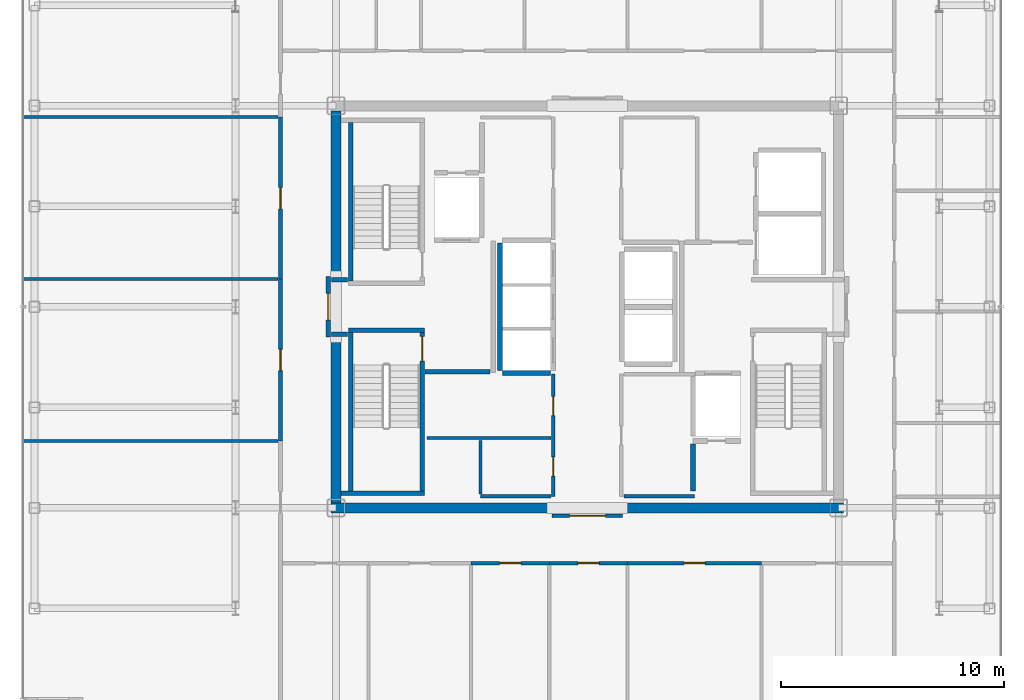
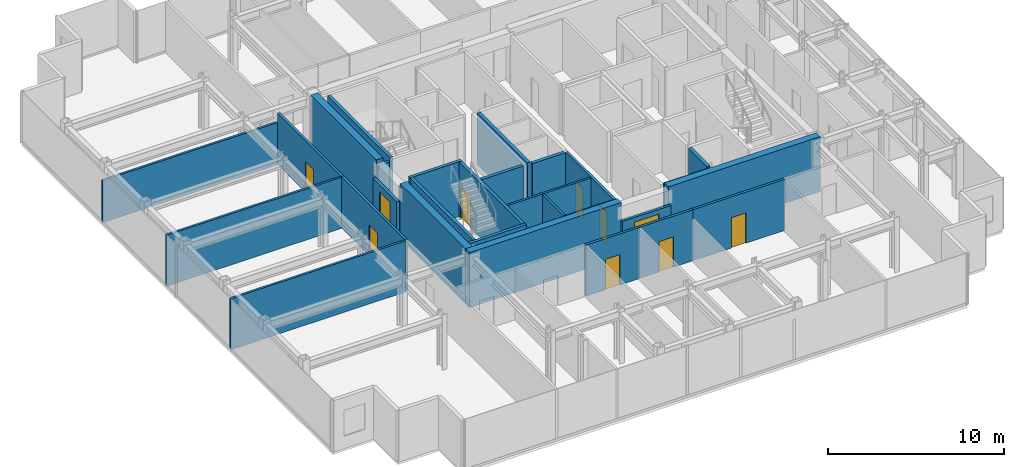
# One storey, part 13 of 18: 30 walls, 10 doors, 10 openings.
"""IFC4 building model written with IfcOpenShell, lengths in metres."""

from ifc_helpers import new_model, si_unit, direction, frame, frame_2d, origin, place, context, subcontext, project, spatial, rectangle, extrude, source, transform, mapped, material, layer, layer_set, type_object, element, fill, save


model = new_model("IFC4")

# Units and contexts
model_context = context("Model", 3, precision=1e-05, world=origin(), true_north=direction((0.0, 1.0)))
body_context = subcontext(model_context, "Body", "Model", "MODEL_VIEW")
ifc_project = project(units=[si_unit("LENGTHUNIT", "METRE"), si_unit("AREAUNIT", "SQUARE_METRE"), si_unit("VOLUMEUNIT", "CUBIC_METRE"), si_unit("PLANEANGLEUNIT", "RADIAN"), si_unit("MASSUNIT", "GRAM", prefix="KILO")], contexts=[model_context])

# Site, building, storey
site_placement = place(None, origin())
site = spatial("IfcSite", under=ifc_project, at=site_placement, CompositionType="ELEMENT")
building_placement = place(site_placement, origin())
building = spatial("IfcBuilding", under=site, at=building_placement, Name="Nefas-Gora Pilgrimage Tower", CompositionType="ELEMENT")
storey_placement = place(building_placement, frame((0.0, 0.0, 291.199951171875)))
storey = spatial("IfcBuildingStorey", under=building, at=storey_placement, Name="L73", CompositionType="ELEMENT", Elevation=291.199951171875)

# Walls
ifc_material_1 = material(Name="Concrete C50/60", Category="concrete")
ifc_layer_1 = layer(ifc_material_1, 0.449951171875)
ifc_layer_set_1 = layer_set([ifc_layer_1], Name="Concrete C50/60")
wall_type_1 = type_object("IfcWallType", Name="SW-CORE-450", PredefinedType="SHEAR", material=ifc_layer_set_1)
shared_shape_1 = source(origin(), body_context, "Body", "SweptSolid", [
    extrude(rectangle(XDim=9.925048828125, YDim=0.449951171875, at=frame_2d((4.96240234375, 0.0))), origin(), (0.0, 0.0, 1.0), 3.800048828125),
])
for number, where, z_axis, x_axis, name in (
    (1, (-11.47509765625, -9.0, 0.0), (0.0, 0.0, 1.0), (1.0, 0.0, 0.0), "L73 Core Shear Wall S-West"),
    (2, (1.550048828125, -9.0, 0.0), (0.0, 0.0, 1.0), (1.0, 0.0, 0.0), "L73 Core Shear Wall S-East"),
):
    element("IfcWall", number, at=place(storey_placement, frame(where, z_axis=z_axis, x_axis=x_axis)), inside=storey, type_object=wall_type_1, Name=name, PredefinedType="SHEAR", context=body_context, shape_type="MappedRepresentation", body=[
        mapped(shared_shape_1, transform((0.0, 0.0, 0.0), x_axis=(1.0, 0.0, 0.0), y_axis=(0.0, 1.0, 0.0), z_axis=(0.0, 0.0, 1.0), scale=1.0)),
    ])
shared_shape_2 = source(origin(), body_context, "Body", "SweptSolid", [
    extrude(rectangle(XDim=7.4248046875, YDim=0.449951171875, at=frame_2d((3.71240234375, 0.0))), origin(), (0.0, 0.0, 1.0), 3.800048828125),
])
for number, where, z_axis, x_axis, name in (
    (3, (-11.25, -8.77490234375, 0.0), (0.0, 0.0, 1.0), (0.0, 1.0, 0.0), "L73 Core Shear Wall W-South"),
    (4, (-11.25, 1.35009765625, 0.0), (0.0, 0.0, 1.0), (0.0, 1.0, 0.0), "L73 Core Shear Wall W-North"),
):
    element("IfcWall", number, at=place(storey_placement, frame(where, z_axis=z_axis, x_axis=x_axis)), inside=storey, type_object=wall_type_1, Name=name, PredefinedType="SHEAR", context=body_context, shape_type="MappedRepresentation", body=[
        mapped(shared_shape_2, transform((0.0, 0.0, 0.0), x_axis=(1.0, 0.0, 0.0), y_axis=(0.0, 1.0, 0.0), z_axis=(0.0, 0.0, 1.0), scale=1.0)),
    ])
ifc_material_2 = material(Name="Concrete C45/55", Category="concrete")
ifc_layer_2 = layer(ifc_material_2, 0.199951171875)
ifc_layer_set_2 = layer_set([ifc_layer_2], Name="Concrete C45/55")
wall_type_2 = type_object("IfcWallType", Name="IW-STAIR-200", PredefinedType="SOLIDWALL", material=ifc_layer_set_2)
shared_shape_3 = source(origin(), body_context, "Body", "SweptSolid", [
    extrude(rectangle(XDim=3.39990234375, YDim=0.199951171875, at=frame_2d((1.699951171875, 0.0))), origin(), (0.0, 0.0, 1.0), 3.800048828125),
])
wall_1_placement = place(storey_placement, frame((-10.699951171875, -1.050048828125, 0.0), z_axis=(0.0, 0.0, 1.0), x_axis=(1.0, 0.0, 0.0)))
element("IfcWall", 5, at=wall_1_placement, inside=storey, type_object=wall_type_2, Name="L73 Stairwell Shear Wall ST-03-near", PredefinedType="SOLIDWALL", context=body_context, shape_type="MappedRepresentation", body=[
    mapped(shared_shape_3, transform((0.0, 0.0, 0.0), x_axis=(1.0, 0.0, 0.0), y_axis=(0.0, 1.0, 0.0), z_axis=(0.0, 0.0, 1.0), scale=1.0)),
])
shared_shape_4 = source(origin(), body_context, "Body", "SweptSolid", [
    extrude(rectangle(XDim=7.10009765625, YDim=0.199951171875, at=frame_2d((3.550048828125, 0.0))), origin(), (0.0, 0.0, 1.0), 3.800048828125),
])
for number, where, z_axis, x_axis, name in (
    (6, (-10.60009765625, 1.14990234375, 0.0), (0.0, 0.0, 1.0), (0.0, 1.0, 0.0), "L73 Stairwell Shear Wall ST-01-right"),
    (7, (-10.60009765625, -1.14990234375, 0.0), (0.0, 0.0, 1.0), (0.0, -1.0, 0.0), "L73 Stairwell Shear Wall ST-03-left"),
):
    element("IfcWall", number, at=place(storey_placement, frame(where, z_axis=z_axis, x_axis=x_axis)), inside=storey, type_object=wall_type_2, Name=name, PredefinedType="SOLIDWALL", context=body_context, shape_type="MappedRepresentation", body=[
        mapped(shared_shape_4, transform((0.0, 0.0, 0.0), x_axis=(1.0, 0.0, 0.0), y_axis=(0.0, 1.0, 0.0), z_axis=(0.0, 0.0, 1.0), scale=1.0)),
    ])

# Wall, opening, door
wall_2_placement = place(storey_placement, frame((-7.39990234375, -1.14990234375, 0.0), z_axis=(0.0, 0.0, 1.0), x_axis=(0.0, -1.0, 0.0)))
wall_2 = element("IfcWall", 8, at=wall_2_placement, inside=storey, type_object=wall_type_2, Name="L73 Stairwell Shear Wall ST-03-right", PredefinedType="SOLIDWALL", context=body_context, shape_type="MappedRepresentation", body=[
    mapped(shared_shape_4, transform((0.0, 0.0, 0.0), x_axis=(1.0, 0.0, 0.0), y_axis=(0.0, 1.0, 0.0), z_axis=(0.0, 0.0, 1.0), scale=1.0)),
])
opening_1_placement = place(wall_2_placement, frame((0.179931640625, 0.0, 0.0)))
opening_1 = element("IfcOpeningElement", 9, at=opening_1_placement, cuts=wall_2, Name="Opening ID-ST1", PredefinedType="OPENING", context=body_context, shape_type="SweptSolid", body=[
    extrude(rectangle(XDim=1.10009765625, YDim=2.14990234375, at=frame_2d((0.550048828125, 1.074951171875))), frame((0.0, 0.10986328125, 0.0), z_axis=(0.0, -1.0, 0.0), x_axis=(1.0, 0.0, 0.0)), (0.0, 0.0, 1.0), 0.219970703125),
])
ifc_material_3 = material(Name="Painted galvanised steel fire stair door", Category="steel")
door_type_1 = type_object("IfcDoorType", Name="DR-INT-STAIR-1100", OperationType="NOTDEFINED", PredefinedType="DOOR", material=ifc_material_3)
shared_shape_5 = source(origin(), body_context, "Body", "SweptSolid", [
    extrude(rectangle(XDim=1.10009765625, YDim=2.14990234375, at=frame_2d((0.550048828125, 1.074951171875))), frame((0.0, 0.02490234375, 0.0), z_axis=(0.0, -1.0, 0.0), x_axis=(1.0, 0.0, 0.0)), (0.0, 0.0, 1.0), 0.050048828125),
])
door_1_placement = place(opening_1_placement, origin())
door_1 = element("IfcDoor", 10, at=door_1_placement, inside=storey, type_object=door_type_1, Name="L73 Protected Exit Stair Door ST-03", OperationType="SINGLE_SWING_LEFT", OverallHeight=2.14990234375, OverallWidth=1.10009765625, PredefinedType="DOOR", context=body_context, shape_type="MappedRepresentation", body=[
    mapped(shared_shape_5, transform((0.0, 0.0, 0.0), x_axis=(1.0, 0.0, 0.0), y_axis=(0.0, 1.0, 0.0), z_axis=(0.0, 0.0, 1.0), scale=1.0)),
])
fill(opening_1, door_1)

# Walls
shared_shape_6 = source(origin(), body_context, "Body", "SweptSolid", [
    extrude(rectangle(XDim=3.72998046875, YDim=0.199951171875, at=frame_2d((1.864990234375, 0.0))), origin(), (0.0, 0.0, 1.0), 3.800048828125),
])
wall_3_placement = place(storey_placement, frame((-11.030029296875, -8.35009765625, 0.0), z_axis=(0.0, 0.0, 1.0), x_axis=(1.0, 0.0, 0.0)))
element("IfcWall", 11, at=wall_3_placement, inside=storey, type_object=wall_type_2, Name="L73 Stairwell Shear Wall ST-03-far", PredefinedType="SOLIDWALL", context=body_context, shape_type="MappedRepresentation", body=[
    mapped(shared_shape_6, transform((0.0, 0.0, 0.0), x_axis=(1.0, 0.0, 0.0), y_axis=(0.0, 1.0, 0.0), z_axis=(0.0, 0.0, 1.0), scale=1.0)),
])
ifc_material_4 = material(Name="Concrete C40/50", Category="concrete")
ifc_layer_3 = layer(ifc_material_4, 0.219970703125)
ifc_layer_set_3 = layer_set([ifc_layer_3], Name="Concrete C40/50")
wall_type_3 = type_object("IfcWallType", Name="IW-SHAFT-220", PredefinedType="SOLIDWALL", material=ifc_layer_set_3)
shared_shape_7 = source(origin(), body_context, "Body", "SweptSolid", [
    extrude(rectangle(XDim=5.7001953125, YDim=0.219970703125, at=frame_2d((2.85009765625, 0.0))), origin(), (0.0, 0.0, 1.0), 3.53515625),
])
wall_4_placement = place(storey_placement, frame((-3.909912109375, 2.85009765625, 0.0), z_axis=(0.0, 0.0, 1.0), x_axis=(0.0, -1.0, 0.0)))
element("IfcWall", 12, at=wall_4_placement, inside=storey, type_object=wall_type_3, Name="L73 Hoistway Wall PL3-01-03-W", PredefinedType="SOLIDWALL", context=body_context, shape_type="MappedRepresentation", body=[
    mapped(shared_shape_7, transform((0.0, 0.0, 0.0), x_axis=(1.0, 0.0, 0.0), y_axis=(0.0, 1.0, 0.0), z_axis=(0.0, 0.0, 1.0), scale=1.0)),
])
shared_shape_8 = source(origin(), body_context, "Body", "SweptSolid", [
    extrude(rectangle(XDim=2.130126953125, YDim=0.219970703125, at=frame_2d((1.06494140625, 0.0))), origin(), (0.0, 0.0, 1.0), 3.53515625),
])
wall_5_placement = place(storey_placement, frame((-3.7900390625, -2.9599609375, 0.0), z_axis=(0.0, 0.0, 1.0), x_axis=(1.0, 0.0, 0.0)))
element("IfcWall", 13, at=wall_5_placement, inside=storey, type_object=wall_type_3, Name="L73 Hoistway Wall PL3-01-S", PredefinedType="SOLIDWALL", context=body_context, shape_type="MappedRepresentation", body=[
    mapped(shared_shape_8, transform((0.0, 0.0, 0.0), x_axis=(1.0, 0.0, 0.0), y_axis=(0.0, 1.0, 0.0), z_axis=(0.0, 0.0, 1.0), scale=1.0)),
])
ifc_material_5 = material(Name="Gypsum fire-rated shaftwall")
ifc_layer_4 = layer(ifc_material_5, 0.199951171875)
ifc_layer_set_4 = layer_set([ifc_layer_4], Name="Gypsum fire-rated shaftwall")
wall_type_4 = type_object("IfcWallType", Name="IW-FFLOB-200", PredefinedType="PARTITIONING", material=ifc_layer_set_4)
shared_shape_9 = source(origin(), body_context, "Body", "SweptSolid", [
    extrude(rectangle(XDim=2.89990234375, YDim=0.199951171875, at=frame_2d((1.449951171875, 0.0))), origin(), (0.0, 0.0, 1.0), 3.53515625),
])
wall_6_placement = place(storey_placement, frame((-7.260009765625, -2.89990234375, 0.0), z_axis=(0.0, 0.0, 1.0), x_axis=(1.0, 0.0, 0.0)))
element("IfcWall", 14, at=wall_6_placement, inside=storey, type_object=wall_type_4, Name="L73 FF Lobby West South Wall Wall 7", PredefinedType="PARTITIONING", context=body_context, shape_type="MappedRepresentation", body=[
    mapped(shared_shape_9, transform((0.0, 0.0, 0.0), x_axis=(1.0, 0.0, 0.0), y_axis=(0.0, 1.0, 0.0), z_axis=(0.0, 0.0, 1.0), scale=1.0)),
])
shared_shape_10 = source(origin(), body_context, "Body", "SweptSolid", [
    extrude(rectangle(XDim=0.719970703125, YDim=0.199951171875, at=frame_2d((0.35986328125, 0.0))), origin(), (0.0, 0.0, 1.0), 3.53515625),
])
for number, where, z_axis, x_axis, name in (
    (15, (-11.4599609375, 1.219970703125, 0.0), (0.0, 0.0, 1.0), (1.0, 0.0, 0.0), "L73 FF Lobby West Throat N Wall 8"),
    (16, (-11.4599609375, -1.219970703125, 0.0), (0.0, 0.0, 1.0), (1.0, 0.0, 0.0), "L73 FF Lobby West Throat S Wall 9"),
):
    element("IfcWall", number, at=place(storey_placement, frame(where, z_axis=z_axis, x_axis=x_axis)), inside=storey, type_object=wall_type_4, Name=name, PredefinedType="PARTITIONING", context=body_context, shape_type="MappedRepresentation", body=[
        mapped(shared_shape_10, transform((0.0, 0.0, 0.0), x_axis=(1.0, 0.0, 0.0), y_axis=(0.0, 1.0, 0.0), z_axis=(0.0, 0.0, 1.0), scale=1.0)),
    ])
ifc_material_6 = material(Name="Gypsum twin-stud partition")
ifc_layer_5 = layer(ifc_material_6, 0.139892578125)
ifc_layer_set_5 = layer_set([ifc_layer_5], Name="Gypsum twin-stud partition")
wall_type_5 = type_object("IfcWallType", Name="IW-UNIT-140", PredefinedType="PARTITIONING", material=ifc_layer_set_5)
shared_shape_11 = source(origin(), body_context, "Body", "SweptSolid", [
    extrude(rectangle(XDim=3.150146484375, YDim=0.139892578125, at=frame_2d((1.5751953125, 0.0))), origin(), (0.0, 0.0, 1.0), 3.53515625),
])
for number, where, z_axis, x_axis, name in (
    (17, (-4.7900390625, -8.47998046875, 0.0), (0.0, 0.0, 1.0), (1.0, 0.0, 0.0), "L73 Freed Bank-2 West Supply Vault Partition Wall 25"),
    (18, (1.639892578125, -8.47998046875, 0.0), (0.0, 0.0, 1.0), (1.0, 0.0, 0.0), "L73 Freed Bank-2 East Linen Store Partition Wall 29"),
):
    element("IfcWall", number, at=place(storey_placement, frame(where, z_axis=z_axis, x_axis=x_axis)), inside=storey, type_object=wall_type_5, Name=name, PredefinedType="PARTITIONING", context=body_context, shape_type="MappedRepresentation", body=[
        mapped(shared_shape_11, transform((0.0, 0.0, 0.0), x_axis=(1.0, 0.0, 0.0), y_axis=(0.0, 1.0, 0.0), z_axis=(0.0, 0.0, 1.0), scale=1.0)),
    ])

# Wall, opening, door
ifc_material_7 = material(Name="Gypsum acoustic stud partition")
ifc_layer_6 = layer(ifc_material_7, 0.159912109375)
ifc_layer_set_6 = layer_set([ifc_layer_6], Name="Gypsum acoustic stud partition")
wall_type_6 = type_object("IfcWallType", Name="IW-CORR-160", PredefinedType="PARTITIONING", material=ifc_layer_set_6)
shared_shape_12 = source(origin(), body_context, "Body", "SweptSolid", [
    extrude(rectangle(XDim=6.010009765625, YDim=0.159912109375, at=frame_2d((3.0048828125, 0.0))), origin(), (0.0, 0.0, 1.0), 3.53515625),
])
wall_7_placement = place(storey_placement, frame((1.794921875, -11.469970703125, 0.0), z_axis=(0.0, 0.0, 1.0), x_axis=(1.0, 0.0, 0.0)))
wall_7 = element("IfcWall", 19, at=wall_7_placement, inside=storey, type_object=wall_type_6, Name="L73 Pilgrim Contemplative Lounge Partition Wall 67", PredefinedType="PARTITIONING", context=body_context, shape_type="MappedRepresentation", body=[
    mapped(shared_shape_12, transform((0.0, 0.0, 0.0), x_axis=(1.0, 0.0, 0.0), y_axis=(0.0, 1.0, 0.0), z_axis=(0.0, 0.0, 1.0), scale=1.0)),
])
opening_2_placement = place(wall_7_placement, frame((2.530029296875, 0.0, 0.0)))
opening_2 = element("IfcOpeningElement", 20, at=opening_2_placement, cuts=wall_7, Name="Opening ID-GR1", PredefinedType="OPENING", context=body_context, shape_type="SweptSolid", body=[
    extrude(rectangle(XDim=0.949951171875, YDim=2.10009765625, at=frame_2d((0.47509765625, 1.050048828125))), frame((0.0, 0.08984375, 0.0), z_axis=(0.0, -1.0, 0.0), x_axis=(1.0, 0.0, 0.0)), (0.0, 0.0, 1.0), 0.179931640625),
])
ifc_material_8 = material(Name="Solid core oak fire-rated guest entrance door")
door_type_2 = type_object("IfcDoorType", Name="DR-INT-GUEST-950", OperationType="NOTDEFINED", PredefinedType="DOOR", material=ifc_material_8)
shared_shape_13 = source(origin(), body_context, "Body", "SweptSolid", [
    extrude(rectangle(XDim=0.949951171875, YDim=2.10009765625, at=frame_2d((0.47509765625, 1.050048828125))), frame((0.0, 0.02490234375, 0.0), z_axis=(0.0, -1.0, 0.0), x_axis=(1.0, 0.0, 0.0)), (0.0, 0.0, 1.0), 0.050048828125),
])
door_2_placement = place(opening_2_placement, origin())
door_2 = element("IfcDoor", 21, at=door_2_placement, inside=storey, type_object=door_type_2, Name="L73 Pilgrim Contemplative Lounge Door 33", OperationType="SINGLE_SWING_LEFT", OverallHeight=2.10009765625, OverallWidth=0.949951171875, PredefinedType="DOOR", context=body_context, shape_type="MappedRepresentation", body=[
    mapped(shared_shape_13, transform((0.0, 0.0, 0.0), x_axis=(1.0, 0.0, 0.0), y_axis=(0.0, 1.0, 0.0), z_axis=(0.0, 0.0, 1.0), scale=1.0)),
])
fill(opening_2, door_2)

shared_shape_14 = source(origin(), body_context, "Body", "SweptSolid", [
    extrude(rectangle(XDim=3.505126953125, YDim=0.159912109375, at=frame_2d((1.75244140625, 0.0))), origin(), (0.0, 0.0, 1.0), 3.53515625),
])
wall_8_placement = place(storey_placement, frame((-5.205078125, -11.469970703125, 0.0), z_axis=(0.0, 0.0, 1.0), x_axis=(1.0, 0.0, 0.0)))
wall_8 = element("IfcWall", 22, at=wall_8_placement, inside=storey, type_object=wall_type_6, Name="L73 Pilgrim Contemplative Lounge Partition Wall 63", PredefinedType="PARTITIONING", context=body_context, shape_type="MappedRepresentation", body=[
    mapped(shared_shape_14, transform((0.0, 0.0, 0.0), x_axis=(1.0, 0.0, 0.0), y_axis=(0.0, 1.0, 0.0), z_axis=(0.0, 0.0, 1.0), scale=1.0)),
])
opening_3_placement = place(wall_8_placement, frame((1.277587890625, 0.0, 0.0)))
opening_3 = element("IfcOpeningElement", 23, at=opening_3_placement, cuts=wall_8, Name="Opening ID-GR1", PredefinedType="OPENING", context=body_context, shape_type="SweptSolid", body=[
    extrude(rectangle(XDim=0.949951171875, YDim=2.10009765625, at=frame_2d((0.47509765625, 1.050048828125))), frame((0.0, 0.08984375, 0.0), z_axis=(0.0, -1.0, 0.0), x_axis=(1.0, 0.0, 0.0)), (0.0, 0.0, 1.0), 0.179931640625),
])
door_3_placement = place(opening_3_placement, origin())
door_3 = element("IfcDoor", 24, at=door_3_placement, inside=storey, type_object=door_type_2, Name="L73 Pilgrim Contemplative Lounge Door 31", OperationType="SINGLE_SWING_LEFT", OverallHeight=2.10009765625, OverallWidth=0.949951171875, PredefinedType="DOOR", context=body_context, shape_type="MappedRepresentation", body=[
    mapped(shared_shape_13, transform((0.0, 0.0, 0.0), x_axis=(1.0, 0.0, 0.0), y_axis=(0.0, 1.0, 0.0), z_axis=(0.0, 0.0, 1.0), scale=1.0)),
])
fill(opening_3, door_3)

shared_shape_15 = source(origin(), body_context, "Body", "SweptSolid", [
    extrude(rectangle(XDim=3.5048828125, YDim=0.159912109375, at=frame_2d((1.75244140625, 0.0))), origin(), (0.0, 0.0, 1.0), 3.53515625),
])
wall_9_placement = place(storey_placement, frame((-1.699951171875, -11.469970703125, 0.0), z_axis=(0.0, 0.0, 1.0), x_axis=(1.0, 0.0, 0.0)))
wall_9 = element("IfcWall", 25, at=wall_9_placement, inside=storey, type_object=wall_type_6, Name="L73 Pilgrim Contemplative Lounge Partition Wall 65", PredefinedType="PARTITIONING", context=body_context, shape_type="MappedRepresentation", body=[
    mapped(shared_shape_15, transform((0.0, 0.0, 0.0), x_axis=(1.0, 0.0, 0.0), y_axis=(0.0, 1.0, 0.0), z_axis=(0.0, 0.0, 1.0), scale=1.0)),
])
opening_4_placement = place(wall_9_placement, frame((1.277587890625, 0.0, 0.0)))
opening_4 = element("IfcOpeningElement", 26, at=opening_4_placement, cuts=wall_9, Name="Opening ID-GR1", PredefinedType="OPENING", context=body_context, shape_type="SweptSolid", body=[
    extrude(rectangle(XDim=0.949951171875, YDim=2.10009765625, at=frame_2d((0.47509765625, 1.050048828125))), frame((0.0, 0.08984375, 0.0), z_axis=(0.0, -1.0, 0.0), x_axis=(1.0, 0.0, 0.0)), (0.0, 0.0, 1.0), 0.179931640625),
])
door_4_placement = place(opening_4_placement, origin())
door_4 = element("IfcDoor", 27, at=door_4_placement, inside=storey, type_object=door_type_2, Name="L73 Pilgrim Contemplative Lounge Door 32", OperationType="SINGLE_SWING_RIGHT", OverallHeight=2.10009765625, OverallWidth=0.949951171875, PredefinedType="DOOR", context=body_context, shape_type="MappedRepresentation", body=[
    mapped(shared_shape_13, transform((0.0, 0.0, 0.0), x_axis=(1.0, 0.0, 0.0), y_axis=(0.0, 1.0, 0.0), z_axis=(0.0, 0.0, 1.0), scale=1.0)),
])
fill(opening_4, door_4)

# Walls
shared_shape_16 = source(origin(), body_context, "Body", "SweptSolid", [
    extrude(rectangle(XDim=11.429931640625, YDim=0.139892578125, at=frame_2d((5.71484375, 0.0))), origin(), (0.0, 0.0, 1.0), 3.53515625),
])
for number, where, z_axis, x_axis, name in (
    (28, (-25.2900390625, -6.0048828125, 0.0), (0.0, 0.0, 1.0), (1.0, 0.0, 0.0), "L73 Pilgrim Tea and Beverage Pantry Partition Wall 34"),
    (29, (-25.2900390625, 1.251220703125, 0.0), (0.0, 0.0, 1.0), (1.0, 0.0, 0.0), "L73 Pilgrim Tea and Beverage Pantry Partition Wall 38"),
):
    element("IfcWall", number, at=place(storey_placement, frame(where, z_axis=z_axis, x_axis=x_axis)), inside=storey, type_object=wall_type_5, Name=name, PredefinedType="PARTITIONING", context=body_context, shape_type="MappedRepresentation", body=[
        mapped(shared_shape_16, transform((0.0, 0.0, 0.0), x_axis=(1.0, 0.0, 0.0), y_axis=(0.0, 1.0, 0.0), z_axis=(0.0, 0.0, 1.0), scale=1.0)),
    ])

# Wall, openings, doors
shared_shape_17 = source(origin(), body_context, "Body", "SweptSolid", [
    extrude(rectangle(XDim=5.47998046875, YDim=0.159912109375, at=frame_2d((2.739990234375, 0.0))), origin(), (0.0, 0.0, 1.0), 3.53515625),
])
wall_10_placement = place(storey_placement, frame((-1.52001953125, -8.489990234375, 0.0), z_axis=(0.0, 0.0, 1.0), x_axis=(0.0, 1.0, 0.0)))
wall_10 = element("IfcWall", 30, at=wall_10_placement, inside=storey, type_object=wall_type_6, Name="L73 Pilgrim Baggage and Gear Vault Wall 21", PredefinedType="PARTITIONING", context=body_context, shape_type="MappedRepresentation", body=[
    mapped(shared_shape_17, transform((0.0, 0.0, 0.0), x_axis=(1.0, 0.0, 0.0), y_axis=(0.0, 1.0, 0.0), z_axis=(0.0, 0.0, 1.0), scale=1.0)),
])
opening_5_placement = place(wall_10_placement, frame((0.907470703125, 0.0, 0.0)))
opening_5 = element("IfcOpeningElement", 31, at=opening_5_placement, cuts=wall_10, Name="Opening ID-BT1", PredefinedType="OPENING", context=body_context, shape_type="SweptSolid", body=[
    extrude(rectangle(XDim=0.85009765625, YDim=2.10009765625, at=frame_2d((0.425048828125, 1.050048828125))), frame((0.0, 0.08984375, 0.0), z_axis=(0.0, -1.0, 0.0), x_axis=(1.0, 0.0, 0.0)), (0.0, 0.0, 1.0), 0.179931640625),
])
opening_6_placement = place(wall_10_placement, frame((3.614990234375, 0.0, 0.0)))
opening_6 = element("IfcOpeningElement", 32, at=opening_6_placement, cuts=wall_10, Name="Opening ID-BT1", PredefinedType="OPENING", context=body_context, shape_type="SweptSolid", body=[
    extrude(rectangle(XDim=0.85009765625, YDim=2.10009765625, at=frame_2d((0.425048828125, 1.050048828125))), frame((0.0, 0.08984375, 0.0), z_axis=(0.0, -1.0, 0.0), x_axis=(1.0, 0.0, 0.0)), (0.0, 0.0, 1.0), 0.179931640625),
])
ifc_material_9 = material(Name="Moisture-resistant fire-rated timber door", Category="wood")
door_type_3 = type_object("IfcDoorType", Name="DR-INT-BATH-850", OperationType="NOTDEFINED", PredefinedType="DOOR", material=ifc_material_9)
shared_shape_18 = source(origin(), body_context, "Body", "SweptSolid", [
    extrude(rectangle(XDim=0.85009765625, YDim=2.10009765625, at=frame_2d((0.425048828125, 1.050048828125))), frame((0.0, 0.02490234375, 0.0), z_axis=(0.0, -1.0, 0.0), x_axis=(1.0, 0.0, 0.0)), (0.0, 0.0, 1.0), 0.050048828125),
])
door_5_placement = place(opening_5_placement, origin())
door_5 = element("IfcDoor", 33, at=door_5_placement, inside=storey, type_object=door_type_3, Name="L73 Freed Bank-2 West Supply Vault Door 9", OperationType="SINGLE_SWING_LEFT", OverallHeight=2.10009765625, OverallWidth=0.85009765625, PredefinedType="DOOR", context=body_context, shape_type="MappedRepresentation", body=[
    mapped(shared_shape_18, transform((0.0, 0.0, 0.0), x_axis=(1.0, 0.0, 0.0), y_axis=(0.0, 1.0, 0.0), z_axis=(0.0, 0.0, 1.0), scale=1.0)),
])
fill(opening_5, door_5)
door_6_placement = place(opening_6_placement, origin())
door_6 = element("IfcDoor", 34, at=door_6_placement, inside=storey, type_object=door_type_3, Name="L73 Pilgrim Baggage and Gear Vault Door 10", OperationType="SINGLE_SWING_RIGHT", OverallHeight=2.10009765625, OverallWidth=0.85009765625, PredefinedType="DOOR", context=body_context, shape_type="MappedRepresentation", body=[
    mapped(shared_shape_18, transform((0.0, 0.0, 0.0), x_axis=(1.0, 0.0, 0.0), y_axis=(0.0, 1.0, 0.0), z_axis=(0.0, 0.0, 1.0), scale=1.0)),
])
fill(opening_6, door_6)

# Wall, opening, door
shared_shape_19 = source(origin(), body_context, "Body", "SweptSolid", [
    extrude(rectangle(XDim=2.7001953125, YDim=0.199951171875, at=frame_2d((1.35009765625, 0.0))), origin(), (0.0, 0.0, 1.0), 2.625),
])
wall_11_placement = place(storey_placement, frame((-11.60009765625, -1.35009765625, 0.0), z_axis=(0.0, 0.0, 1.0), x_axis=(0.0, 1.0, 0.0)))
wall_11 = element("IfcWall", 35, at=wall_11_placement, inside=storey, type_object=wall_type_4, Name="L73 FF Lobby West Portal Wall 5", PredefinedType="PARTITIONING", context=body_context, shape_type="MappedRepresentation", body=[
    mapped(shared_shape_19, transform((0.0, 0.0, 0.0), x_axis=(1.0, 0.0, 0.0), y_axis=(0.0, 1.0, 0.0), z_axis=(0.0, 0.0, 1.0), scale=1.0)),
])
opening_7_placement = place(wall_11_placement, frame((0.75, 0.0, 0.0)))
opening_7 = element("IfcOpeningElement", 36, at=opening_7_placement, cuts=wall_11, Name="Opening ID-FF1", PredefinedType="OPENING", context=body_context, shape_type="SweptSolid", body=[
    extrude(rectangle(XDim=1.199951171875, YDim=2.14990234375, at=frame_2d((0.60009765625, 1.074951171875))), frame((0.0, 0.10986328125, 0.0), z_axis=(0.0, -1.0, 0.0), x_axis=(1.0, 0.0, 0.0)), (0.0, 0.0, 1.0), 0.219970703125),
])
ifc_material_10 = material(Name="Smoke-sealed steel firefighting lobby door", Category="steel")
door_type_4 = type_object("IfcDoorType", Name="DR-INT-FFLOB-1200", OperationType="NOTDEFINED", PredefinedType="DOOR", material=ifc_material_10)
shared_shape_20 = source(origin(), body_context, "Body", "SweptSolid", [
    extrude(rectangle(XDim=1.199951171875, YDim=2.14990234375, at=frame_2d((0.60009765625, 1.074951171875))), frame((0.0, 0.02490234375, 0.0), z_axis=(0.0, -1.0, 0.0), x_axis=(1.0, 0.0, 0.0)), (0.0, 0.0, 1.0), 0.050048828125),
])
door_7_placement = place(opening_7_placement, origin())
door_7 = element("IfcDoor", 37, at=door_7_placement, inside=storey, type_object=door_type_4, Name="L73 FF Lobby West Portal Door 3", OperationType="SINGLE_SWING_LEFT", OverallHeight=2.14990234375, OverallWidth=1.199951171875, PredefinedType="DOOR", context=body_context, shape_type="MappedRepresentation", body=[
    mapped(shared_shape_20, transform((0.0, 0.0, 0.0), x_axis=(1.0, 0.0, 0.0), y_axis=(0.0, 1.0, 0.0), z_axis=(0.0, 0.0, 1.0), scale=1.0)),
])
fill(opening_7, door_7)

shared_shape_21 = source(origin(), body_context, "Body", "SweptSolid", [
    extrude(rectangle(XDim=3.16015625, YDim=0.159912109375, at=frame_2d((1.580078125, 0.0))), origin(), (0.0, 0.0, 1.0), 2.625),
])
wall_12_placement = place(storey_placement, frame((-1.580078125, -9.35009765625, 0.0), z_axis=(0.0, 0.0, 1.0), x_axis=(1.0, 0.0, 0.0)))
wall_12 = element("IfcWall", 38, at=wall_12_placement, inside=storey, type_object=wall_type_6, Name="L73 Central Lift Lobby South Portal Wall 17", PredefinedType="PARTITIONING", context=body_context, shape_type="MappedRepresentation", body=[
    mapped(shared_shape_21, transform((0.0, 0.0, 0.0), x_axis=(1.0, 0.0, 0.0), y_axis=(0.0, 1.0, 0.0), z_axis=(0.0, 0.0, 1.0), scale=1.0)),
])
opening_8_placement = place(wall_12_placement, frame((0.780029296875, 0.0, 0.0)))
opening_8 = element("IfcOpeningElement", 39, at=opening_8_placement, cuts=wall_12, Name="Opening ID-HL1", PredefinedType="OPENING", context=body_context, shape_type="SweptSolid", body=[
    extrude(rectangle(XDim=1.60009765625, YDim=2.300048828125, at=frame_2d((0.800048828125, 1.14990234375))), frame((0.0, 0.08984375, 0.0), z_axis=(0.0, -1.0, 0.0), x_axis=(1.0, 0.0, 0.0)), (0.0, 0.0, 1.0), 0.179931640625),
])
ifc_material_11 = material(Name="Double acoustic timber assembly hall door", Category="wood")
door_type_5 = type_object("IfcDoorType", Name="DR-INT-HALL-1600", OperationType="DOUBLE_DOOR_SINGLE_SWING", PredefinedType="DOOR", material=ifc_material_11)
shared_shape_22 = source(origin(), body_context, "Body", "SweptSolid", [
    extrude(rectangle(XDim=1.60009765625, YDim=2.300048828125, at=frame_2d((0.800048828125, 1.14990234375))), frame((0.0, 0.02490234375, 0.0), z_axis=(0.0, -1.0, 0.0), x_axis=(1.0, 0.0, 0.0)), (0.0, 0.0, 1.0), 0.050048828125),
])
door_8_placement = place(opening_8_placement, origin())
door_8 = element("IfcDoor", 40, at=door_8_placement, inside=storey, type_object=door_type_5, Name="L73 Central Lift Lobby South Portal Door 7", OperationType="DOUBLE_DOOR_SINGLE_SWING", OverallHeight=2.300048828125, OverallWidth=1.60009765625, PredefinedType="DOOR", context=body_context, shape_type="MappedRepresentation", body=[
    mapped(shared_shape_22, transform((0.0, 0.0, 0.0), x_axis=(1.0, 0.0, 0.0), y_axis=(0.0, 1.0, 0.0), z_axis=(0.0, 0.0, 1.0), scale=1.0)),
])
fill(opening_8, door_8)

# Walls
shared_shape_23 = source(origin(), body_context, "Body", "SweptSolid", [
    extrude(rectangle(XDim=11.429931640625, YDim=0.139892578125, at=frame_2d((5.71484375, 0.0))), origin(), (0.0, 0.0, 1.0), 2.925048828125),
])
wall_13_placement = place(storey_placement, frame((-25.2900390625, 8.49755859375, 0.0), z_axis=(0.0, 0.0, 1.0), x_axis=(1.0, 0.0, 0.0)))
element("IfcWall", 41, at=wall_13_placement, inside=storey, type_object=wall_type_5, Name="L73 Pilgrim Tea and Beverage Pantry Partition Wall 36", PredefinedType="PARTITIONING", context=body_context, shape_type="MappedRepresentation", body=[
    mapped(shared_shape_23, transform((0.0, 0.0, 0.0), x_axis=(1.0, 0.0, 0.0), y_axis=(0.0, 1.0, 0.0), z_axis=(0.0, 0.0, 1.0), scale=1.0)),
])
shared_shape_24 = source(origin(), body_context, "Body", "SweptSolid", [
    extrude(rectangle(XDim=2.10009765625, YDim=0.219970703125, at=frame_2d((1.050048828125, 0.0))), origin(), (0.0, 0.0, 1.0), 3.53515625),
])
wall_14_placement = place(storey_placement, frame((4.719970703125, -8.25, 0.0), z_axis=(0.0, 0.0, 1.0), x_axis=(0.0, 1.0, 0.0)))
element("IfcWall", 42, at=wall_14_placement, inside=storey, type_object=wall_type_3, Name="L73 Riser Shaft Wall 4", PredefinedType="SOLIDWALL", context=body_context, shape_type="MappedRepresentation", body=[
    mapped(shared_shape_24, transform((0.0, 0.0, 0.0), x_axis=(1.0, 0.0, 0.0), y_axis=(0.0, 1.0, 0.0), z_axis=(0.0, 0.0, 1.0), scale=1.0)),
])
shared_shape_25 = source(origin(), body_context, "Body", "SweptSolid", [
    extrude(rectangle(XDim=5.550048828125, YDim=0.139892578125, at=frame_2d((2.77490234375, 0.0))), origin(), (0.0, 0.0, 1.0), 3.53515625),
])
wall_15_placement = place(storey_placement, frame((-7.18994140625, -5.8798828125, 0.0), z_axis=(0.0, 0.0, 1.0), x_axis=(1.0, 0.0, 0.0)))
element("IfcWall", 43, at=wall_15_placement, inside=storey, type_object=wall_type_5, Name="L73 Pilgrim Baggage and Gear Vault Partition Wall 22", PredefinedType="PARTITIONING", context=body_context, shape_type="MappedRepresentation", body=[
    mapped(shared_shape_25, transform((0.0, 0.0, 0.0), x_axis=(1.0, 0.0, 0.0), y_axis=(0.0, 1.0, 0.0), z_axis=(0.0, 0.0, 1.0), scale=1.0)),
])
shared_shape_26 = source(origin(), body_context, "Body", "SweptSolid", [
    extrude(rectangle(XDim=2.380126953125, YDim=0.139892578125, at=frame_2d((1.18994140625, 0.0))), origin(), (0.0, 0.0, 1.0), 3.53515625),
])
wall_16_placement = place(storey_placement, frame((-4.780029296875, -8.3701171875, 0.0), z_axis=(0.0, 0.0, 1.0), x_axis=(0.0, 1.0, 0.0)))
element("IfcWall", 44, at=wall_16_placement, inside=storey, type_object=wall_type_5, Name="L73 Freed Bank-2 West Supply Vault Partition Wall 26", PredefinedType="PARTITIONING", context=body_context, shape_type="MappedRepresentation", body=[
    mapped(shared_shape_26, transform((0.0, 0.0, 0.0), x_axis=(1.0, 0.0, 0.0), y_axis=(0.0, 1.0, 0.0), z_axis=(0.0, 0.0, 1.0), scale=1.0)),
])

# Wall, opening, door
shared_shape_27 = source(origin(), body_context, "Body", "SweptSolid", [
    extrude(rectangle(XDim=7.246337890625, YDim=0.159912109375, at=frame_2d((3.623046875, 0.0))), origin(), (0.0, 0.0, 1.0), 3.53515625),
])
wall_17_placement = place(storey_placement, frame((-13.739990234375, 1.2412109375, 0.0), z_axis=(0.0, 0.0, 1.0), x_axis=(0.0, 1.0, 0.0)))
wall_17 = element("IfcWall", 45, at=wall_17_placement, inside=storey, type_object=wall_type_6, Name="L73 Pilgrim Tea and Beverage Pantry Partition Wall 37", PredefinedType="PARTITIONING", context=body_context, shape_type="MappedRepresentation", body=[
    mapped(shared_shape_27, transform((0.0, 0.0, 0.0), x_axis=(1.0, 0.0, 0.0), y_axis=(0.0, 1.0, 0.0), z_axis=(0.0, 0.0, 1.0), scale=1.0)),
])
opening_9_placement = place(wall_17_placement, frame((3.148193359375, 0.0, 0.0)))
opening_9 = element("IfcOpeningElement", 46, at=opening_9_placement, cuts=wall_17, Name="Opening ID-GR1", PredefinedType="OPENING", context=body_context, shape_type="SweptSolid", body=[
    extrude(rectangle(XDim=0.949951171875, YDim=2.10009765625, at=frame_2d((0.47509765625, 1.050048828125))), frame((0.0, 0.08984375, 0.0), z_axis=(0.0, -1.0, 0.0), x_axis=(1.0, 0.0, 0.0)), (0.0, 0.0, 1.0), 0.179931640625),
])
door_9_placement = place(opening_9_placement, origin())
door_9 = element("IfcDoor", 47, at=door_9_placement, inside=storey, type_object=door_type_2, Name="L73 Pilgrim Tea and Beverage Pantry Door 16", OperationType="SINGLE_SWING_RIGHT", OverallHeight=2.10009765625, OverallWidth=0.949951171875, PredefinedType="DOOR", context=body_context, shape_type="MappedRepresentation", body=[
    mapped(shared_shape_13, transform((0.0, 0.0, 0.0), x_axis=(1.0, 0.0, 0.0), y_axis=(0.0, 1.0, 0.0), z_axis=(0.0, 0.0, 1.0), scale=1.0)),
])
fill(opening_9, door_9)

shared_shape_28 = source(origin(), body_context, "Body", "SweptSolid", [
    extrude(rectangle(XDim=7.24609375, YDim=0.159912109375, at=frame_2d((3.623046875, 0.0))), origin(), (0.0, 0.0, 1.0), 3.53515625),
])
wall_18_placement = place(storey_placement, frame((-13.739990234375, -6.0048828125, 0.0), z_axis=(0.0, 0.0, 1.0), x_axis=(0.0, 1.0, 0.0)))
wall_18 = element("IfcWall", 48, at=wall_18_placement, inside=storey, type_object=wall_type_6, Name="L73 Pilgrim Tea and Beverage Pantry Partition Wall 39", PredefinedType="PARTITIONING", context=body_context, shape_type="MappedRepresentation", body=[
    mapped(shared_shape_28, transform((0.0, 0.0, 0.0), x_axis=(1.0, 0.0, 0.0), y_axis=(0.0, 1.0, 0.0), z_axis=(0.0, 0.0, 1.0), scale=1.0)),
])
opening_10_placement = place(wall_18_placement, frame((3.148193359375, 0.0, 0.0)))
opening_10 = element("IfcOpeningElement", 49, at=opening_10_placement, cuts=wall_18, Name="Opening ID-GR1", PredefinedType="OPENING", context=body_context, shape_type="SweptSolid", body=[
    extrude(rectangle(XDim=0.949951171875, YDim=2.10009765625, at=frame_2d((0.47509765625, 1.050048828125))), frame((0.0, 0.08984375, 0.0), z_axis=(0.0, -1.0, 0.0), x_axis=(1.0, 0.0, 0.0)), (0.0, 0.0, 1.0), 0.179931640625),
])
door_10_placement = place(opening_10_placement, origin())
door_10 = element("IfcDoor", 50, at=door_10_placement, inside=storey, type_object=door_type_2, Name="L73 Pilgrim Tea and Beverage Pantry Door 17", OperationType="SINGLE_SWING_LEFT", OverallHeight=2.10009765625, OverallWidth=0.949951171875, PredefinedType="DOOR", context=body_context, shape_type="MappedRepresentation", body=[
    mapped(shared_shape_13, transform((0.0, 0.0, 0.0), x_axis=(1.0, 0.0, 0.0), y_axis=(0.0, 1.0, 0.0), z_axis=(0.0, 0.0, 1.0), scale=1.0)),
])
fill(opening_10, door_10)

save(model, "model.ifc")
